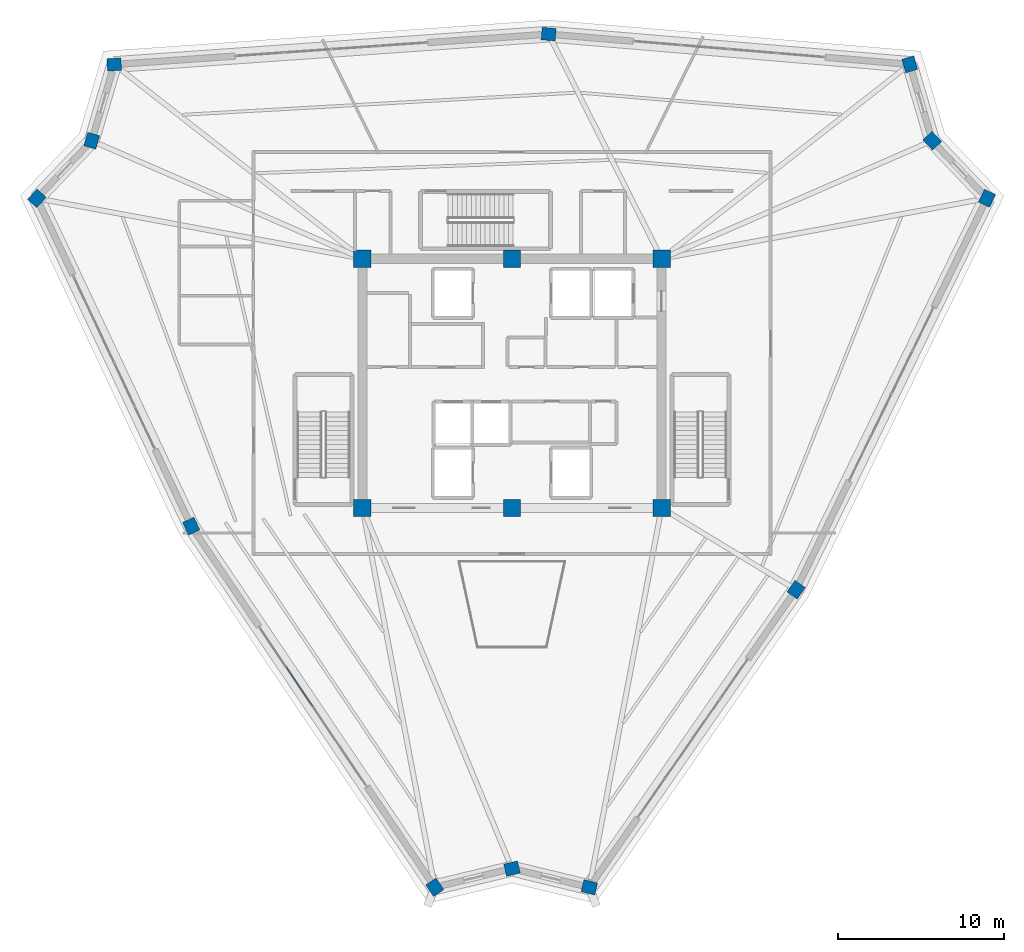
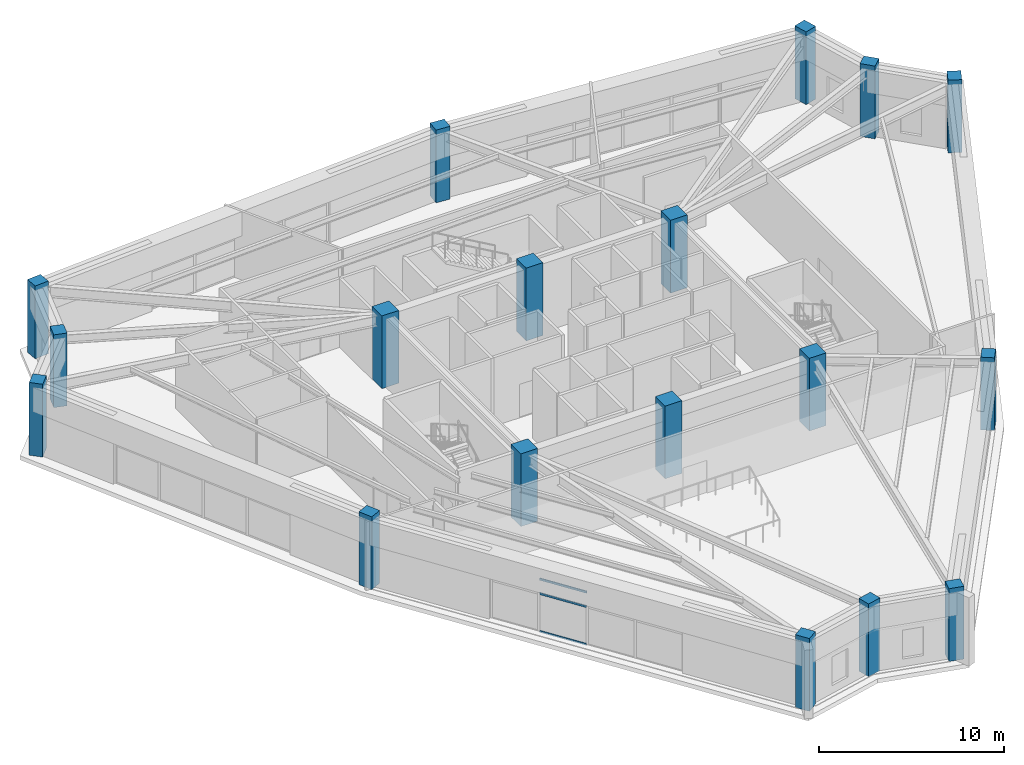
# One storey, part 1 of 40: 18 columns, 3 members, 1 element without a shape of its own.
"""IFC4 building model written with IfcOpenShell, lengths in metres."""

from ifc_helpers import new_model, si_unit, direction, frame, origin, origin_2d, place, context, subcontext, project, spatial, rectangle, hollow_rectangle, extrude, source, transform, mapped, material, layer, layer_set, material_profile, profile_set, type_object, element, aggregate, save


model = new_model("IFC4")

# Units and contexts
model_context = context("Model", 3, precision=1e-05, world=origin(), true_north=direction((0.0, 1.0)))
body_context = subcontext(model_context, "Body", "Model", "MODEL_VIEW")
ifc_project = project(units=[si_unit("LENGTHUNIT", "METRE"), si_unit("AREAUNIT", "SQUARE_METRE"), si_unit("VOLUMEUNIT", "CUBIC_METRE"), si_unit("PLANEANGLEUNIT", "RADIAN"), si_unit("MASSUNIT", "GRAM", prefix="KILO")], contexts=[model_context])

# Site, building, storey
site_placement = place(None, origin())
site = spatial("IfcSite", under=ifc_project, at=site_placement, CompositionType="ELEMENT")
building_placement = place(site_placement, origin())
building = spatial("IfcBuilding", under=site, at=building_placement, Name="Liaohun Quay Tower", CompositionType="ELEMENT")
storey_placement = place(building_placement, frame((0.0, 0.0, 351.0)))
storey = spatial("IfcBuildingStorey", under=building, at=storey_placement, Name="L91", CompositionType="ELEMENT", Elevation=351.0)

# Columns
ifc_material_1 = material(Name="Concrete C50", Category="concrete")
ifc_material_profile_1 = material_profile(ifc_material_1, rectangle(XDim=1.050048828125, YDim=1.050048828125, at=origin_2d()), Name="RC1050x1050")
ifc_profile_set_1 = profile_set([ifc_material_profile_1], Name="Concrete C50")
column_type_1 = type_object("IfcColumnType", Name="COL-CC-CR", PredefinedType="COLUMN", material=ifc_profile_set_1)
shared_shape_1 = source(origin(), body_context, "Body", "SweptSolid", [
    extrude(rectangle(XDim=1.050048828125, YDim=1.050048828125, at=origin_2d()), origin(), (0.0, 0.0, 1.0), 4.800048828125),
])
for number, where, z_axis, x_axis, name in (
    (1, (51.0, 46.5, 0.0), (0.0, 0.0, 1.0), (1.0, 0.0, 0.0), "L91 Core Column CC1"),
    (2, (60.0, 46.5, 0.0), (0.0, 0.0, 1.0), (1.0, 0.0, 0.0), "L91 Core Column CC2"),
    (3, (69.0, 46.5, 0.0), (0.0, 0.0, 1.0), (1.0, 0.0, 0.0), "L91 Core Column CC3"),
    (4, (69.0, 61.5, 0.0), (0.0, 0.0, 1.0), (1.0, 0.0, 0.0), "L91 Core Column CC4"),
    (5, (60.0, 61.5, 0.0), (0.0, 0.0, 1.0), (1.0, 0.0, 0.0), "L91 Core Column CC5"),
    (6, (51.0, 61.5, 0.0), (0.0, 0.0, 1.0), (1.0, 0.0, 0.0), "L91 Core Column CC6"),
):
    element("IfcColumn", number, at=place(storey_placement, frame(where, z_axis=z_axis, x_axis=x_axis)), inside=storey, type_object=column_type_1, Name=name, PredefinedType="COLUMN", context=body_context, shape_type="MappedRepresentation", body=[
        mapped(shared_shape_1, transform((0.0, 0.0, 0.0), x_axis=(1.0, 0.0, 0.0), y_axis=(0.0, 1.0, 0.0), z_axis=(0.0, 0.0, 1.0), scale=1.0)),
    ])
ifc_material_profile_2 = material_profile(ifc_material_1, rectangle(XDim=0.85009765625, YDim=0.75, at=origin_2d()), Name="RC850x750")
ifc_profile_set_2 = profile_set([ifc_material_profile_2], Name="Concrete C50")
column_type_2 = type_object("IfcColumnType", Name="COL-PIER-CR", PredefinedType="COLUMN", material=ifc_profile_set_2)
shared_shape_2 = source(origin(), body_context, "Body", "SweptSolid", [
    extrude(rectangle(XDim=0.85009765625, YDim=0.75, at=origin_2d()), origin(), (0.0, 0.0, 1.0), 4.800048828125),
])
for number, where, z_axis, x_axis, name in (
    (7, (55.35400390625, 23.677978515625, 0.0), (0.0, 0.0, 1.0), (-0.559192903471, 0.829037572555, 0.0), "L91 Perimeter Pier PC01"),
    (8, (40.698974609375, 45.405029296875, 0.0), (0.0, 0.0, 1.0), (-0.425937207192, 0.90475272618, 0.0), "L91 Perimeter Pier PC02"),
    (9, (31.410888671875, 65.131103515625, 0.0), (0.0, 0.0, 1.0), (0.68936671806, 0.724412539946, 0.0), "L91 Perimeter Pier PC03"),
    (10, (34.7119140625, 68.60009765625, 0.0), (0.0, 0.0, 1.0), (0.282676303383, 0.959215360337, 0.0), "L91 Perimeter Pier PC04"),
    (11, (36.06298828125, 73.18505859375, 0.0), (0.0, 0.0, 1.0), (0.99756405026, 0.069756473744, 0.0), "L91 Perimeter Pier PC05"),
    (12, (62.20703125, 75.012939453125, 0.0), (0.0, 0.0, 1.0), (-0.996507448611, 0.083503921245, 0.0), "L91 Perimeter Pier PC06"),
    (13, (83.93408203125, 73.194091796875, 0.0), (0.0, 0.0, 1.0), (-0.282676303383, 0.959215360337, 0.0), "L91 Perimeter Pier PC07"),
    (14, (85.2880859375, 68.60009765625, 0.0), (0.0, 0.0, 1.0), (-0.68936671806, 0.724412539946, 0.0), "L91 Perimeter Pier PC08"),
    (15, (88.5830078125, 65.136962890625, 0.0), (0.0, 0.0, 1.0), (0.438371146789, 0.898794046299, 0.0), "L91 Perimeter Pier PC09"),
    (16, (77.094970703125, 41.58203125, 0.0), (0.0, 0.0, 1.0), (0.570570241419, 0.821248804935, 0.0), "L91 Perimeter Pier PC10"),
    (17, (64.655029296875, 23.676025390625, 0.0), (0.0, 0.0, 1.0), (-0.972083987461, 0.234633163303, 0.0), "L91 Perimeter Pier PC11"),
    (18, (60.0, 24.799072265625, 0.0), (0.0, 0.0, 1.0), (0.972083987461, 0.234633163303, 0.0), "L91 Perimeter Pier PC12"),
):
    element("IfcColumn", number, at=place(storey_placement, frame(where, z_axis=z_axis, x_axis=x_axis)), inside=storey, type_object=column_type_2, Name=name, PredefinedType="COLUMN", context=body_context, shape_type="MappedRepresentation", body=[
        mapped(shared_shape_2, transform((0.0, 0.0, 0.0), x_axis=(1.0, 0.0, 0.0), y_axis=(0.0, 1.0, 0.0), z_axis=(0.0, 0.0, 1.0), scale=1.0)),
    ])

# Curtain wall, members
ifc_material_2 = material(Name="Observation gallery panoramic triple-glazed curtain wall")
ifc_layer = layer(ifc_material_2, 0.219970703125, Name="Observation gallery panoramic triple-glazed curtain wall")
ifc_layer_set = layer_set([ifc_layer], Name="Observation gallery panoramic triple-glazed curtain wall")
curtain_wall_type = type_object("IfcCurtainWallType", Name="CW-OBS-CRN", PredefinedType="NOTDEFINED", material=ifc_layer_set)
curtain_wall_placement = place(storey_placement, origin())
curtain_wall = element("IfcCurtainWall", 19, at=curtain_wall_placement, inside=storey, type_object=curtain_wall_type, Name="L91 Panoramic Belvedere Curtain Wall 06", PredefinedType="NOTDEFINED")
ifc_material_3 = material(Name="Anodised aluminium 6063-T6", Category="aluminium")
ifc_material_profile_3 = material_profile(ifc_material_3, hollow_rectangle(XDim=0.06005859375, YDim=0.135009765625, WallThickness=0.00390625, at=origin_2d()), Name="RHS135x60x4")
ifc_profile_set_3 = profile_set([ifc_material_profile_3], Name="Anodised aluminium 6063-T6")
member_type = type_object("IfcMemberType", Name="MEM-CWT-SKY", PredefinedType="USERDEFINED", material=ifc_profile_set_3)
shared_shape_3 = source(origin(), body_context, "Body", "SweptSolid", [
    extrude(hollow_rectangle(XDim=0.06005859375, YDim=0.135009765625, WallThickness=0.00390625, at=origin_2d()), origin(), (0.0, 0.0, 1.0), 2.835205078125),
])
member_1_placement = place(storey_placement, frame((46.4228515625, 36.918701171875, 0.030029296875), z_axis=(0.559222881453, -0.829017351362, 0.0), x_axis=(0.829017351362, 0.559222881453, 0.0)))
member_1 = element("IfcMember", 20, at=member_1_placement, type_object=member_type, Name="CW6 transom 2.1", ObjectType="TRANSOM", PredefinedType="USERDEFINED", context=body_context, shape_type="MappedRepresentation", body=[
    mapped(shared_shape_3, transform((0.0, 0.0, 0.0), x_axis=(1.0, 0.0, 0.0), y_axis=(0.0, 1.0, 0.0), z_axis=(0.0, 0.0, 1.0), scale=1.0)),
])
member_2_placement = place(storey_placement, frame((46.4228515625, 36.918701171875, 2.52001953125), z_axis=(0.559222881453, -0.829017351362, 0.0), x_axis=(0.829017351362, 0.559222881453, 0.0)))
member_2 = element("IfcMember", 21, at=member_2_placement, type_object=member_type, Name="CW6 transom 2.2", ObjectType="TRANSOM", PredefinedType="USERDEFINED", context=body_context, shape_type="MappedRepresentation", body=[
    mapped(shared_shape_3, transform((0.0, 0.0, 0.0), x_axis=(1.0, 0.0, 0.0), y_axis=(0.0, 1.0, 0.0), z_axis=(0.0, 0.0, 1.0), scale=1.0)),
])
member_3_placement = place(storey_placement, frame((46.4228515625, 36.918701171875, 3.469970703125), z_axis=(0.559222881453, -0.829017351362, 0.0), x_axis=(0.829017351362, 0.559222881453, 0.0)))
member_3 = element("IfcMember", 22, at=member_3_placement, type_object=member_type, Name="CW6 transom 2.3", ObjectType="TRANSOM", PredefinedType="USERDEFINED", context=body_context, shape_type="MappedRepresentation", body=[
    mapped(shared_shape_3, transform((0.0, 0.0, 0.0), x_axis=(1.0, 0.0, 0.0), y_axis=(0.0, 1.0, 0.0), z_axis=(0.0, 0.0, 1.0), scale=1.0)),
])
aggregate(curtain_wall, [member_1, member_2, member_3])

save(model, "model.ifc")
